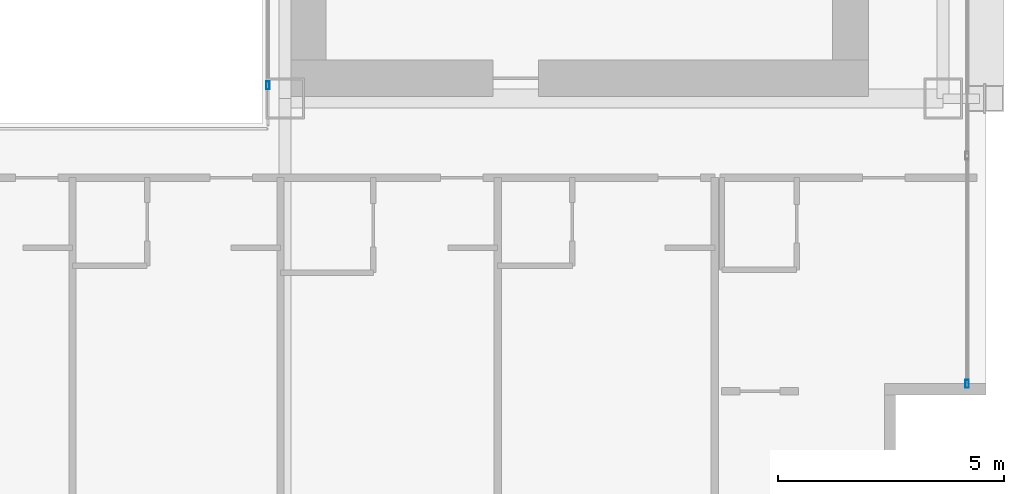
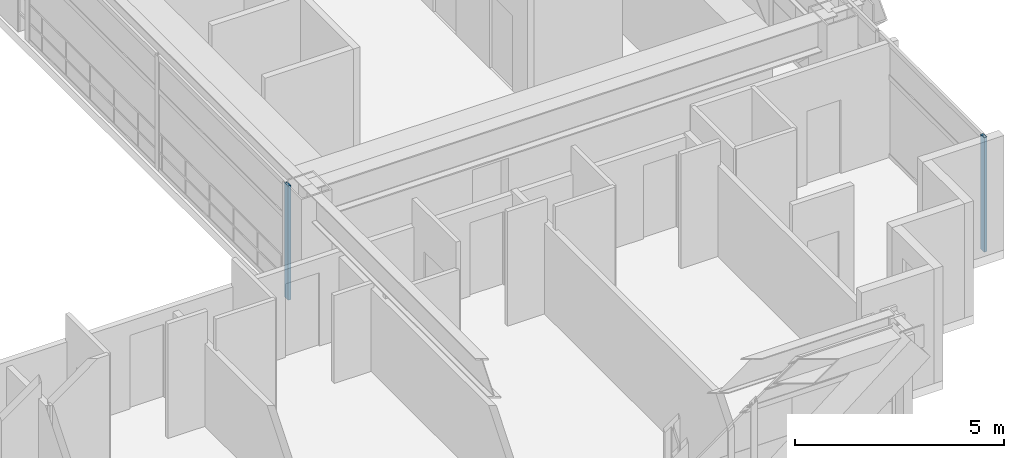
# One storey, part 12 of 41: 2 members, 2 elements without a shape of their own.
"""IFC4 building model written with IfcOpenShell, lengths in metres."""

from ifc_helpers import new_model, si_unit, direction, frame, origin, origin_2d, place, context, subcontext, project, spatial, hollow_rectangle, extrude, source, transform, mapped, material, layer, layer_set, material_profile, profile_set, type_object, element, aggregate, save


model = new_model("IFC4")

# Units and contexts
model_context = context("Model", 3, precision=1e-05, world=origin(), true_north=direction((0.0, 1.0)))
body_context = subcontext(model_context, "Body", "Model", "MODEL_VIEW")
ifc_project = project(units=[si_unit("LENGTHUNIT", "METRE"), si_unit("AREAUNIT", "SQUARE_METRE"), si_unit("VOLUMEUNIT", "CUBIC_METRE"), si_unit("PLANEANGLEUNIT", "RADIAN"), si_unit("MASSUNIT", "GRAM", prefix="KILO")], contexts=[model_context])

# Site, building, storey
site_placement = place(None, origin())
site = spatial("IfcSite", under=ifc_project, at=site_placement, CompositionType="ELEMENT")
building_placement = place(site_placement, origin())
building = spatial("IfcBuilding", under=site, at=building_placement, Name="Ocotamira Hotel", CompositionType="ELEMENT")
storey_placement = place(building_placement, frame((0.0, 0.0, 38.39990234375)))
storey = spatial("IfcBuildingStorey", under=building, at=storey_placement, Name="L08", CompositionType="ELEMENT", Elevation=38.39990234375)

# Curtain wall, member
ifc_material_1 = material(Name="Anodised pale-metal aluminium and solar glass", Category="aluminium")
ifc_layer_1 = layer(ifc_material_1, 0.179931640625)
ifc_layer_set_1 = layer_set([ifc_layer_1], Name="Anodised pale-metal aluminium and solar glass")
curtain_wall_type_1 = type_object("IfcCurtainWallType", Name="CW-SYS2-Z1", PredefinedType="NOTDEFINED", material=ifc_layer_set_1)
curtain_wall_1_placement = place(storey_placement, origin())
curtain_wall_1 = element("IfcCurtainWall", 1, at=curtain_wall_1_placement, inside=storey, type_object=curtain_wall_type_1, Name="L08 Curtain Wall CW-2 CW-L08-E", PredefinedType="NOTDEFINED")
ifc_material_2 = material(Name="Anodised pale-metal aluminium 6063-T6", Category="aluminium")
ifc_material_profile = material_profile(ifc_material_2, hollow_rectangle(XDim=0.080078125, YDim=0.179931640625, WallThickness=0.006103515625, at=origin_2d()), Name="HSS180X80X6")
ifc_profile_set = profile_set([ifc_material_profile], Name="Anodised pale-metal aluminium 6063-T6")
member_type = type_object("IfcMemberType", Name="CWM-180X75", PredefinedType="MULLION", material=ifc_profile_set)
shared_shape = source(origin(), body_context, "Body", "SweptSolid", [
    extrude(hollow_rectangle(XDim=0.080078125, YDim=0.179931640625, WallThickness=0.006103515625, at=origin_2d()), origin(), (0.0, 0.0, 1.0), 3.35009765625),
])
member_1_placement = place(storey_placement, frame((55.580078125, 8.239990234375, 0.0), z_axis=(0.0, 0.0, 1.0), x_axis=(-1.0, 0.0, 0.0)))
member_1 = element("IfcMember", 2, at=member_1_placement, type_object=member_type, Name="CW-2 mullion 1", PredefinedType="MULLION", context=body_context, shape_type="MappedRepresentation", body=[
    mapped(shared_shape, transform((0.0, 0.0, 0.0), scale=1.0)),
])
aggregate(curtain_wall_1, [member_1])

ifc_layer_2 = layer(ifc_material_1, 0.159912109375)
ifc_layer_set_2 = layer_set([ifc_layer_2], Name="Anodised pale-metal aluminium and solar glass")
curtain_wall_type_2 = type_object("IfcCurtainWallType", Name="CW-SYS6-ATR", PredefinedType="NOTDEFINED", material=ifc_layer_set_2)
curtain_wall_2_placement = place(storey_placement, origin())
curtain_wall_2 = element("IfcCurtainWall", 3, at=curtain_wall_2_placement, inside=storey, type_object=curtain_wall_type_2, Name="L08 Curtain Wall CW-6 CW-L08-ATRE1", PredefinedType="NOTDEFINED")
member_2_placement = place(storey_placement, frame((40.1201171875, 14.840087890625, 0.0), z_axis=(0.0, 0.0, 1.0), x_axis=(-1.0, 0.0, 0.0)))
member_2 = element("IfcMember", 4, at=member_2_placement, type_object=member_type, Name="CW-6 mullion 1", PredefinedType="MULLION", context=body_context, shape_type="MappedRepresentation", body=[
    mapped(shared_shape, transform((0.0, 0.0, 0.0), scale=1.0)),
])
aggregate(curtain_wall_2, [member_2])

save(model, "model.ifc")
